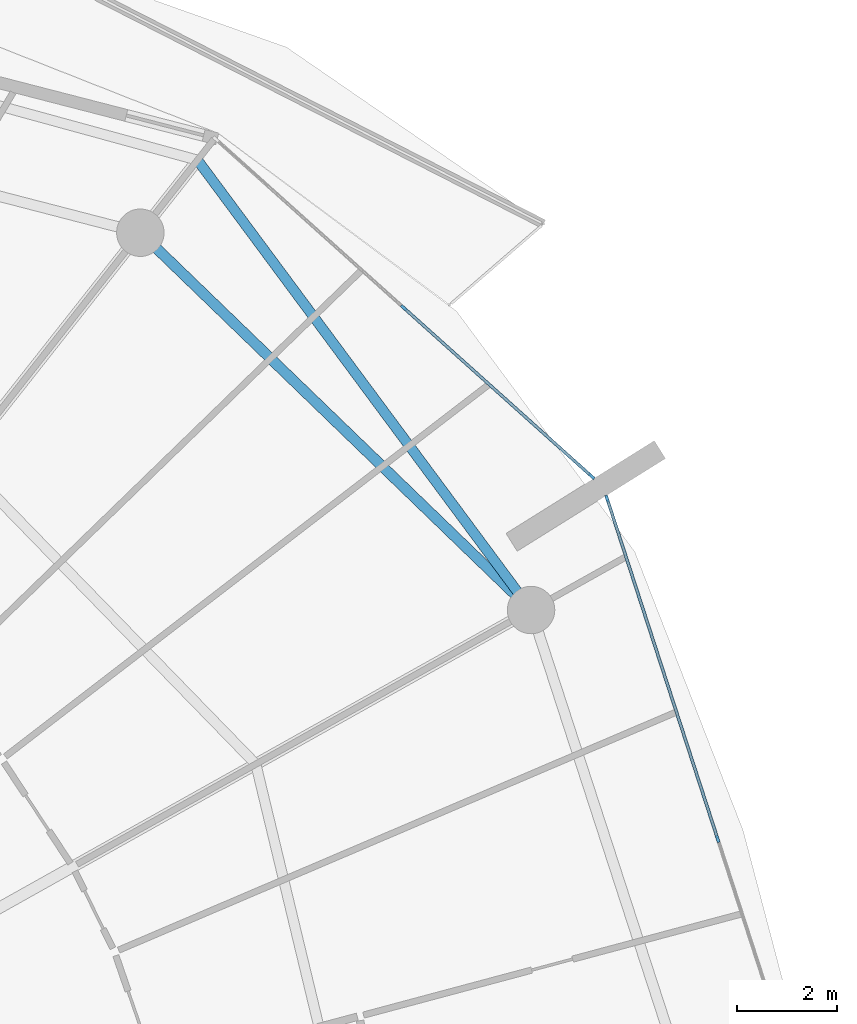
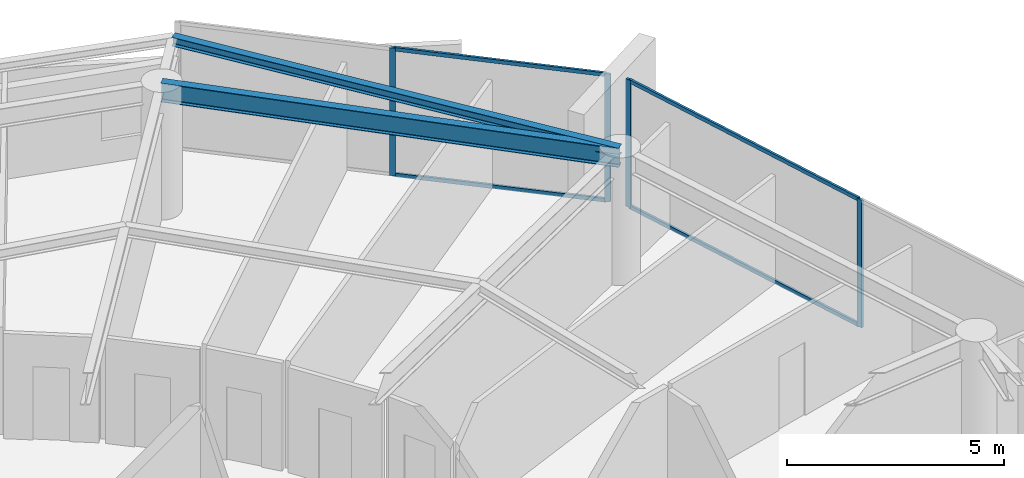
# One storey, part 15 of 30: 8 members, 2 beams, 2 elements without a shape of their own.
"""IFC4 building model written with IfcOpenShell, lengths in metres."""

from ifc_helpers import new_model, si_unit, direction, frame, origin, origin_2d, place, context, subcontext, project, spatial, rectangle, i_section, extrude, material, layer, layer_set, material_profile, profile_set, type_object, element, aggregate, save


model = new_model("IFC4")

# Units and contexts
model_context = context("Model", 3, precision=1e-05, world=origin(), true_north=direction((0.0, 1.0)))
body_context = subcontext(model_context, "Body", "Model", "MODEL_VIEW")
ifc_project = project(units=[si_unit("LENGTHUNIT", "METRE"), si_unit("AREAUNIT", "SQUARE_METRE"), si_unit("VOLUMEUNIT", "CUBIC_METRE"), si_unit("PLANEANGLEUNIT", "RADIAN"), si_unit("MASSUNIT", "GRAM", prefix="KILO")], contexts=[model_context])

# Site, building, storey
site_placement = place(None, origin())
site = spatial("IfcSite", under=ifc_project, at=site_placement, CompositionType="ELEMENT")
building_placement = place(site_placement, origin())
building = spatial("IfcBuilding", under=site, at=building_placement, Name="Kazma Halo Residences", CompositionType="ELEMENT")
storey_placement = place(building_placement, frame((0.0, 0.0, 267.5)))
storey = spatial("IfcBuildingStorey", under=building, at=storey_placement, Name="L67", CompositionType="ELEMENT", Elevation=267.5)

# Beams
ifc_material_1 = material(Name="Steel S355", Category="steel")
ifc_material_profile_1 = material_profile(ifc_material_1, i_section(OverallWidth=0.201904296875, OverallDepth=0.2470703125, WebThickness=0.00732421875, FlangeThickness=0.010986328125, FilletRadius=0.011962890625, at=origin_2d()), Name="W250x49.1")
ifc_profile_set_1 = profile_set([ifc_material_profile_1], Name="Steel S355")
beam_type_1 = type_object("IfcBeamType", Name="BM-BAL-CANT", PredefinedType="BEAM", material=ifc_profile_set_1)
beam_1_placement = place(storey_placement, frame((72.67041015625, 55.81591796875, 3.466552734375), z_axis=(-0.595556062515, 0.803313747176, 0.0), x_axis=(-0.803313747176, -0.595556062515, 0.0)))
element("IfcBeam", 1, at=beam_1_placement, inside=storey, type_object=beam_type_1, Name="L67 wave-balcony lead tie beam 01", PredefinedType="BEAM", context=body_context, shape_type="SweptSolid", body=[
    extrude(i_section(OverallWidth=0.201904296875, OverallDepth=0.2470703125, WebThickness=0.00732421875, FlangeThickness=0.010986328125, FilletRadius=0.011962890625, at=origin_2d()), origin(), (0.0, 0.0, 1.0), 11.213134765625),
])
ifc_material_profile_2 = material_profile(ifc_material_1, i_section(OverallWidth=0.208984375, OverallDepth=0.532958984375, WebThickness=0.01025390625, FlangeThickness=0.015625, FilletRadius=0.01611328125, at=origin_2d()), Name="W530x92")
ifc_profile_set_2 = profile_set([ifc_material_profile_2], Name="Steel S355")
beam_type_2 = type_object("IfcBeamType", Name="BM-SPN-W530", PredefinedType="BEAM", material=ifc_profile_set_2)
beam_2_placement = place(storey_placement, frame((72.67041015625, 55.81591796875, 3.323486328125), z_axis=(-0.719345757929, 0.694652201141, 0.0), x_axis=(-0.694652201141, -0.719345757929, 0.0)))
element("IfcBeam", 2, at=beam_2_placement, inside=storey, type_object=beam_type_2, Name="L67 perimeter ring beam 01", PredefinedType="BEAM", context=body_context, shape_type="SweptSolid", body=[
    extrude(i_section(OverallWidth=0.208984375, OverallDepth=0.532958984375, WebThickness=0.01025390625, FlangeThickness=0.015625, FilletRadius=0.01611328125, at=origin_2d()), origin(), (0.0, 0.0, 1.0), 10.87548828125),
])

# Curtain wall, members
ifc_material_2 = material(Name="Aluminium AW-6063 T6 and Triple-Silver Low-E Glass", Category="aluminium")
ifc_layer = layer(ifc_material_2, 0.139892578125)
ifc_layer_set = layer_set([ifc_layer], Name="Aluminium AW-6063 T6 and Triple-Silver Low-E Glass")
curtain_wall_type = type_object("IfcCurtainWallType", Name="CW-SYS-5", PredefinedType="NOTDEFINED", material=ifc_layer_set)
curtain_wall_1_placement = place(storey_placement, origin())
curtain_wall_1 = element("IfcCurtainWall", 3, at=curtain_wall_1_placement, inside=storey, type_object=curtain_wall_type, Name="L67 unitised curtain wall B01", PredefinedType="NOTDEFINED")
ifc_material_3 = material(Name="Aluminium AW-6063 T6", Category="aluminium")
ifc_material_profile_3 = material_profile(ifc_material_3, rectangle(XDim=0.06005859375, YDim=0.139892578125, at=origin_2d()), Name="CWM-60x140")
ifc_profile_set_3 = profile_set([ifc_material_profile_3], Name="Aluminium AW-6063 T6")
member_type_1 = type_object("IfcMemberType", Name="CW-SYS-5-MUL", PredefinedType="MULLION", material=ifc_profile_set_3)
member_1_placement = place(storey_placement, frame((73.88330078125, 58.491943359375, 0.0), z_axis=(0.0, 0.0, 1.0), x_axis=(-0.667804826958, -0.744336424671, 0.0)))
member_1 = element("IfcMember", 4, at=member_1_placement, type_object=member_type_1, Name="CWS-5 mullion 1", PredefinedType="MULLION", context=body_context, shape_type="SweptSolid", body=[
    extrude(rectangle(XDim=0.06005859375, YDim=0.139892578125, at=origin_2d()), origin(), (0.0, 0.0, 1.0), 3.590087890625),
])
member_2_placement = place(storey_placement, frame((70.121826171875, 61.86669921875, 0.0), z_axis=(0.0, 0.0, 1.0), x_axis=(-0.667804826958, -0.744336424671, 0.0)))
member_2 = element("IfcMember", 5, at=member_2_placement, type_object=member_type_1, Name="CWS-5 mullion 2", PredefinedType="MULLION", context=body_context, shape_type="SweptSolid", body=[
    extrude(rectangle(XDim=0.06005859375, YDim=0.139892578125, at=origin_2d()), origin(), (0.0, 0.0, 1.0), 3.590087890625),
])

curtain_wall_2_placement = place(storey_placement, origin())
curtain_wall_2 = element("IfcCurtainWall", 6, at=curtain_wall_2_placement, inside=storey, type_object=curtain_wall_type, Name="L67 unitised curtain wall B16", PredefinedType="NOTDEFINED")
member_3_placement = place(storey_placement, frame((76.40771484375, 51.230224609375, 0.0), z_axis=(0.0, 0.0, 1.0), x_axis=(-0.951058464359, -0.309010998786, 0.0)))
member_3 = element("IfcMember", 7, at=member_3_placement, type_object=member_type_1, Name="CWS-5 mullion 2", PredefinedType="MULLION", context=body_context, shape_type="SweptSolid", body=[
    extrude(rectangle(XDim=0.06005859375, YDim=0.139892578125, at=origin_2d()), origin(), (0.0, 0.0, 1.0), 3.590087890625),
])
member_4_placement = place(storey_placement, frame((74.1923828125, 58.0478515625, 0.0), z_axis=(0.0, 0.0, 1.0), x_axis=(-0.951058464359, -0.309010998786, 0.0)))
member_4 = element("IfcMember", 8, at=member_4_placement, type_object=member_type_1, Name="CWS-5 mullion 3", PredefinedType="MULLION", context=body_context, shape_type="SweptSolid", body=[
    extrude(rectangle(XDim=0.06005859375, YDim=0.139892578125, at=origin_2d()), origin(), (0.0, 0.0, 1.0), 3.590087890625),
])

# Member
ifc_material_profile_4 = material_profile(ifc_material_3, rectangle(XDim=0.06005859375, YDim=0.10498046875, at=origin_2d()), Name="CWT-60x105")
ifc_profile_set_4 = profile_set([ifc_material_profile_4], Name="Aluminium AW-6063 T6")
member_type_2 = type_object("IfcMemberType", Name="CW-SYS-5-TRN", PredefinedType="USERDEFINED", material=ifc_profile_set_4)
member_5_placement = place(storey_placement, frame((73.861083984375, 58.511962890625, 0.030029296875), z_axis=(-0.744328897483, 0.667813216679, 0.0), x_axis=(-0.667813216679, -0.744328897483, 0.0)))
member_5 = element("IfcMember", 9, at=member_5_placement, type_object=member_type_2, Name="CWS-5 transom 1.1", ObjectType="TRANSOM", PredefinedType="USERDEFINED", context=body_context, shape_type="SweptSolid", body=[
    extrude(rectangle(XDim=0.06005859375, YDim=0.10498046875, at=origin_2d()), origin(), (0.0, 0.0, 1.0), 4.993408203125),
])

member_6_placement = place(storey_placement, frame((73.861083984375, 58.511962890625, 3.56005859375), z_axis=(-0.744328897483, 0.667813216679, 0.0), x_axis=(-0.667813216679, -0.744328897483, 0.0)))
member_6 = element("IfcMember", 10, at=member_6_placement, type_object=member_type_2, Name="CWS-5 transom 1.2", ObjectType="TRANSOM", PredefinedType="USERDEFINED", context=body_context, shape_type="SweptSolid", body=[
    extrude(rectangle(XDim=0.06005859375, YDim=0.10498046875, at=origin_2d()), origin(), (0.0, 0.0, 1.0), 4.993408203125),
])

aggregate(curtain_wall_1, [member_1, member_2, member_5, member_6])

member_7_placement = place(storey_placement, frame((76.3984375, 51.2587890625, 0.030029296875), z_axis=(-0.309027052142, 0.95105324827, 0.0), x_axis=(-0.95105324827, -0.309027052142, 0.0)))
member_7 = element("IfcMember", 11, at=member_7_placement, type_object=member_type_2, Name="CWS-5 transom 2.1", ObjectType="TRANSOM", PredefinedType="USERDEFINED", context=body_context, shape_type="SweptSolid", body=[
    extrude(rectangle(XDim=0.06005859375, YDim=0.10498046875, at=origin_2d()), origin(), (0.0, 0.0, 1.0), 7.108642578125),
])

member_8_placement = place(storey_placement, frame((76.3984375, 51.2587890625, 3.56005859375), z_axis=(-0.309027052142, 0.95105324827, 0.0), x_axis=(-0.95105324827, -0.309027052142, 0.0)))
member_8 = element("IfcMember", 12, at=member_8_placement, type_object=member_type_2, Name="CWS-5 transom 2.2", ObjectType="TRANSOM", PredefinedType="USERDEFINED", context=body_context, shape_type="SweptSolid", body=[
    extrude(rectangle(XDim=0.06005859375, YDim=0.10498046875, at=origin_2d()), origin(), (0.0, 0.0, 1.0), 7.108642578125),
])

aggregate(curtain_wall_2, [member_3, member_4, member_7, member_8])

save(model, "model.ifc")
